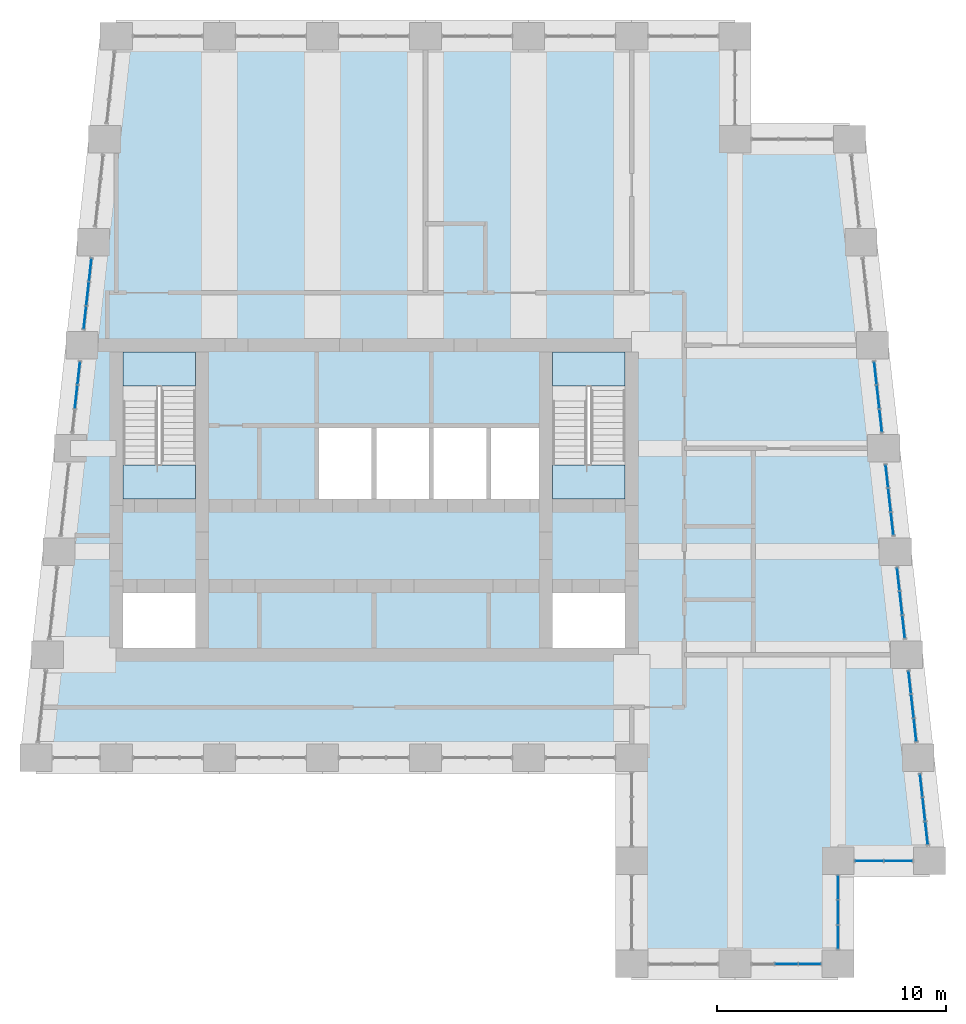
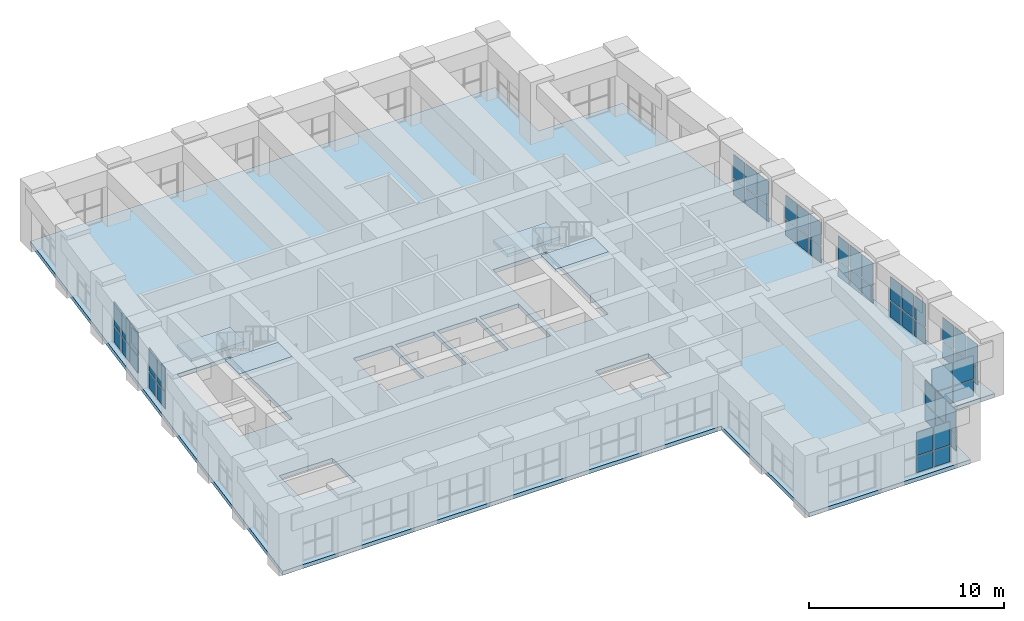
# One storey, part 13 of 18: 54 plates, 5 slabs, 12 elements without a shape of their own.
"""IFC4 building model written with IfcOpenShell, lengths in metres."""

from ifc_helpers import new_model, si_unit, direction, frame, origin, origin_2d, place, context, subcontext, project, spatial, polyline, rectangle, outline, extrude, material, layer, layer_set, type_object, element, aggregate, save


model = new_model("IFC4")

# Units and contexts
model_context = context("Model", 3, precision=1e-05, world=origin(), true_north=direction((0.0, 1.0)))
body_context = subcontext(model_context, "Body", "Model", "MODEL_VIEW")
ifc_project = project(units=[si_unit("LENGTHUNIT", "METRE"), si_unit("AREAUNIT", "SQUARE_METRE"), si_unit("VOLUMEUNIT", "CUBIC_METRE"), si_unit("PLANEANGLEUNIT", "RADIAN"), si_unit("MASSUNIT", "GRAM", prefix="KILO")], contexts=[model_context])

# Site, building, storey
site_placement = place(None, origin())
site = spatial("IfcSite", under=ifc_project, at=site_placement, CompositionType="ELEMENT")
building_placement = place(site_placement, origin())
building = spatial("IfcBuilding", under=site, at=building_placement, Name="Kilele Tower Hotel", CompositionType="ELEMENT")
storey_placement = place(building_placement, frame((0.0, 0.0, 281.89990234375)))
storey = spatial("IfcBuildingStorey", under=building, at=storey_placement, Name="L72", CompositionType="ELEMENT", Elevation=281.89990234375)

# Slab
ifc_material_1 = material(Name="Concrete C60/75", Category="concrete")
ifc_layer_1 = layer(ifc_material_1, 0.25)
ifc_layer_set_1 = layer_set([ifc_layer_1], Name="Concrete C60/75")
slab_type_1 = type_object("IfcSlabType", Name="Floor slab 250", PredefinedType="FLOOR", material=ifc_layer_set_1)
slab_1_placement = place(storey_placement, frame((0.0, 0.0, -0.25)))
element("IfcSlab", 1, at=slab_1_placement, inside=storey, type_object=slab_type_1, Name="Floor slab L72", PredefinedType="FLOOR", context=body_context, shape_type="SweptSolid", body=[
    extrude(outline(polyline([(40.800048828125, 40.800048828125), (40.800048828125, 36.300048828125), (45.7685546875, 36.300048828125), (49.335205078125, 4.199951171875), (45.300048828125, 4.199951171875), (45.300048828125, -0.300048828125), (35.699951171875, -0.300048828125), (35.699951171875, 8.699951171875), (9.664794921875, 8.699951171875), (13.2314453125, 40.800048828125), (40.800048828125, 40.800048828125)]), holes=[polyline([(16.949951171875, 16.199951171875), (13.800048828125, 16.199951171875), (13.800048828125, 13.800048828125), (16.949951171875, 13.800048828125), (16.949951171875, 16.199951171875)]), polyline([(35.699951171875, 16.199951171875), (32.550048828125, 16.199951171875), (32.550048828125, 13.800048828125), (35.699951171875, 13.800048828125), (35.699951171875, 16.199951171875)]), polyline([(24.64990234375, 23.39990234375), (22.35009765625, 23.39990234375), (22.35009765625, 20.10009765625), (24.64990234375, 20.10009765625), (24.64990234375, 23.39990234375)]), polyline([(27.14990234375, 23.39990234375), (24.85009765625, 23.39990234375), (24.85009765625, 20.10009765625), (27.14990234375, 20.10009765625), (27.14990234375, 23.39990234375)]), polyline([(29.64990234375, 23.39990234375), (27.35009765625, 23.39990234375), (27.35009765625, 20.10009765625), (29.64990234375, 20.10009765625), (29.64990234375, 23.39990234375)]), polyline([(32.14990234375, 23.39990234375), (29.85009765625, 23.39990234375), (29.85009765625, 20.10009765625), (32.14990234375, 20.10009765625), (32.14990234375, 23.39990234375)]), polyline([(16.949951171875, 26.699951171875), (13.800048828125, 26.699951171875), (13.800048828125, 20.300048828125), (16.949951171875, 20.300048828125), (16.949951171875, 26.699951171875)]), polyline([(35.699951171875, 26.699951171875), (32.550048828125, 26.699951171875), (32.550048828125, 20.300048828125), (35.699951171875, 20.300048828125), (35.699951171875, 26.699951171875)])]), origin(), (0.0, 0.0, 1.0), 0.25),
])

# Curtain wall, plates
ifc_material_2 = material(Name="Aluminium curtain wall, clear double glazing", Category="aluminium")
curtain_wall_type = type_object("IfcCurtainWallType", Name="Sky restaurant curtain wall CW-5", PredefinedType="NOTDEFINED", material=ifc_material_2)
curtain_wall_1_placement = place(storey_placement, origin())
curtain_wall_1 = element("IfcCurtainWall", 2, at=curtain_wall_1_placement, inside=storey, type_object=curtain_wall_type, Name="Sky restaurant curtain wall CW-5 L72", PredefinedType="NOTDEFINED")
ifc_material_3 = material(Name="Clear double glazing", Category="glass")
ifc_layer_2 = layer(ifc_material_3, 0.028076171875)
ifc_layer_set_2 = layer_set([ifc_layer_2], Name="Clear double glazing")
plate_type = type_object("IfcPlateType", Name="Glazed panel 28 CW-5", PredefinedType="CURTAIN_PANEL", material=ifc_layer_set_2)
plate_1_placement = place(storey_placement, frame((42.75, 0.0, 0.06005859375), z_axis=(0.0, 0.0, 1.0), x_axis=(1.0, 0.0, 0.0)))
plate_1 = element("IfcPlate", 3, at=plate_1_placement, type_object=plate_type, Name="CW-5 panel 2.1", PredefinedType="CURTAIN_PANEL", context=body_context, shape_type="SweptSolid", body=[
    extrude(rectangle(XDim=0.973388671875, YDim=0.028076171875, at=origin_2d()), origin(), (0.0, 0.0, 1.0), 1.010009765625),
])
plate_2_placement = place(storey_placement, frame((42.75, 0.0, 1.130126953125), z_axis=(0.0, 0.0, 1.0), x_axis=(1.0, 0.0, 0.0)))
plate_2 = element("IfcPlate", 4, at=plate_2_placement, type_object=plate_type, Name="CW-5 panel 2.2", PredefinedType="CURTAIN_PANEL", context=body_context, shape_type="SweptSolid", body=[
    extrude(rectangle(XDim=0.973388671875, YDim=0.028076171875, at=origin_2d()), origin(), (0.0, 0.0, 1.0), 1.4599609375),
])
plate_3_placement = place(storey_placement, frame((43.768310546875, 0.0, 0.06005859375), z_axis=(0.0, 0.0, 1.0), x_axis=(1.0, 0.0, 0.0)))
plate_3 = element("IfcPlate", 5, at=plate_3_placement, type_object=plate_type, Name="CW-5 panel 3.1", PredefinedType="CURTAIN_PANEL", context=body_context, shape_type="SweptSolid", body=[
    extrude(rectangle(XDim=0.943359375, YDim=0.028076171875, at=origin_2d()), origin(), (0.0, 0.0, 1.0), 1.010009765625),
])
plate_4_placement = place(storey_placement, frame((43.768310546875, 0.0, 1.130126953125), z_axis=(0.0, 0.0, 1.0), x_axis=(1.0, 0.0, 0.0)))
plate_4 = element("IfcPlate", 6, at=plate_4_placement, type_object=plate_type, Name="CW-5 panel 3.2", PredefinedType="CURTAIN_PANEL", context=body_context, shape_type="SweptSolid", body=[
    extrude(rectangle(XDim=0.943359375, YDim=0.028076171875, at=origin_2d()), origin(), (0.0, 0.0, 1.0), 1.4599609375),
])
aggregate(curtain_wall_1, [plate_1, plate_2, plate_3, plate_4])

curtain_wall_2_placement = place(storey_placement, origin())
curtain_wall_2 = element("IfcCurtainWall", 7, at=curtain_wall_2_placement, inside=storey, type_object=curtain_wall_type, Name="Sky restaurant curtain wall CW-5 L72", PredefinedType="NOTDEFINED")
plate_5_placement = place(storey_placement, frame((45.0, 1.1650390625, 0.06005859375), z_axis=(0.0, 0.0, 1.0), x_axis=(0.0, 1.0, 0.0)))
plate_5 = element("IfcPlate", 8, at=plate_5_placement, type_object=plate_type, Name="CW-5 panel 1.1", PredefinedType="CURTAIN_PANEL", context=body_context, shape_type="SweptSolid", body=[
    extrude(rectangle(XDim=1.010009765625, YDim=0.028076171875, at=origin_2d()), origin(), (0.0, 0.0, 1.0), 1.010009765625),
])
plate_6_placement = place(storey_placement, frame((45.0, 1.1650390625, 1.130126953125), z_axis=(0.0, 0.0, 1.0), x_axis=(0.0, 1.0, 0.0)))
plate_6 = element("IfcPlate", 9, at=plate_6_placement, type_object=plate_type, Name="CW-5 panel 1.2", PredefinedType="CURTAIN_PANEL", context=body_context, shape_type="SweptSolid", body=[
    extrude(rectangle(XDim=1.010009765625, YDim=0.028076171875, at=origin_2d()), origin(), (0.0, 0.0, 1.0), 1.4599609375),
])
plate_7_placement = place(storey_placement, frame((45.0, 2.25, 0.06005859375), z_axis=(0.0, 0.0, 1.0), x_axis=(0.0, 1.0, 0.0)))
plate_7 = element("IfcPlate", 10, at=plate_7_placement, type_object=plate_type, Name="CW-5 panel 2.1", PredefinedType="CURTAIN_PANEL", context=body_context, shape_type="SweptSolid", body=[
    extrude(rectangle(XDim=1.0400390625, YDim=0.028076171875, at=origin_2d()), origin(), (0.0, 0.0, 1.0), 1.010009765625),
])
plate_8_placement = place(storey_placement, frame((45.0, 2.25, 1.130126953125), z_axis=(0.0, 0.0, 1.0), x_axis=(0.0, 1.0, 0.0)))
plate_8 = element("IfcPlate", 11, at=plate_8_placement, type_object=plate_type, Name="CW-5 panel 2.2", PredefinedType="CURTAIN_PANEL", context=body_context, shape_type="SweptSolid", body=[
    extrude(rectangle(XDim=1.0400390625, YDim=0.028076171875, at=origin_2d()), origin(), (0.0, 0.0, 1.0), 1.4599609375),
])
plate_9_placement = place(storey_placement, frame((45.0, 3.3349609375, 0.06005859375), z_axis=(0.0, 0.0, 1.0), x_axis=(0.0, 1.0, 0.0)))
plate_9 = element("IfcPlate", 12, at=plate_9_placement, type_object=plate_type, Name="CW-5 panel 3.1", PredefinedType="CURTAIN_PANEL", context=body_context, shape_type="SweptSolid", body=[
    extrude(rectangle(XDim=1.010009765625, YDim=0.028076171875, at=origin_2d()), origin(), (0.0, 0.0, 1.0), 1.010009765625),
])
plate_10_placement = place(storey_placement, frame((45.0, 3.3349609375, 1.130126953125), z_axis=(0.0, 0.0, 1.0), x_axis=(0.0, 1.0, 0.0)))
plate_10 = element("IfcPlate", 13, at=plate_10_placement, type_object=plate_type, Name="CW-5 panel 3.2", PredefinedType="CURTAIN_PANEL", context=body_context, shape_type="SweptSolid", body=[
    extrude(rectangle(XDim=1.010009765625, YDim=0.028076171875, at=origin_2d()), origin(), (0.0, 0.0, 1.0), 1.4599609375),
])
aggregate(curtain_wall_2, [plate_5, plate_6, plate_7, plate_8, plate_9, plate_10])

curtain_wall_3_placement = place(storey_placement, origin())
curtain_wall_3 = element("IfcCurtainWall", 14, at=curtain_wall_3_placement, inside=storey, type_object=curtain_wall_type, Name="Sky restaurant curtain wall CW-5 L72", PredefinedType="NOTDEFINED")
plate_11_placement = place(storey_placement, frame((46.364990234375, 4.5, 0.06005859375), z_axis=(0.0, 0.0, 1.0), x_axis=(1.0, 0.0, 0.0)))
plate_11 = element("IfcPlate", 15, at=plate_11_placement, type_object=plate_type, Name="CW-5 panel 1.1", PredefinedType="CURTAIN_PANEL", context=body_context, shape_type="SweptSolid", body=[
    extrude(rectangle(XDim=1.2099609375, YDim=0.028076171875, at=origin_2d()), origin(), (0.0, 0.0, 1.0), 1.010009765625),
])
plate_12_placement = place(storey_placement, frame((46.364990234375, 4.5, 1.130126953125), z_axis=(0.0, 0.0, 1.0), x_axis=(1.0, 0.0, 0.0)))
plate_12 = element("IfcPlate", 16, at=plate_12_placement, type_object=plate_type, Name="CW-5 panel 1.2", PredefinedType="CURTAIN_PANEL", context=body_context, shape_type="SweptSolid", body=[
    extrude(rectangle(XDim=1.2099609375, YDim=0.028076171875, at=origin_2d()), origin(), (0.0, 0.0, 1.0), 1.4599609375),
])
plate_13_placement = place(storey_placement, frame((47.635009765625, 4.5, 0.06005859375), z_axis=(0.0, 0.0, 1.0), x_axis=(1.0, 0.0, 0.0)))
plate_13 = element("IfcPlate", 17, at=plate_13_placement, type_object=plate_type, Name="CW-5 panel 2.1", PredefinedType="CURTAIN_PANEL", context=body_context, shape_type="SweptSolid", body=[
    extrude(rectangle(XDim=1.2099609375, YDim=0.028076171875, at=origin_2d()), origin(), (0.0, 0.0, 1.0), 1.010009765625),
])
plate_14_placement = place(storey_placement, frame((47.635009765625, 4.5, 1.130126953125), z_axis=(0.0, 0.0, 1.0), x_axis=(1.0, 0.0, 0.0)))
plate_14 = element("IfcPlate", 18, at=plate_14_placement, type_object=plate_type, Name="CW-5 panel 2.2", PredefinedType="CURTAIN_PANEL", context=body_context, shape_type="SweptSolid", body=[
    extrude(rectangle(XDim=1.2099609375, YDim=0.028076171875, at=origin_2d()), origin(), (0.0, 0.0, 1.0), 1.4599609375),
])
aggregate(curtain_wall_3, [plate_11, plate_12, plate_13, plate_14])

curtain_wall_4_placement = place(storey_placement, origin())
curtain_wall_4 = element("IfcCurtainWall", 19, at=curtain_wall_4_placement, inside=storey, type_object=curtain_wall_type, Name="Sky restaurant curtain wall CW-5 L72", PredefinedType="NOTDEFINED")
plate_15_placement = place(storey_placement, frame((48.865478515625, 5.711181640625, 0.06005859375), z_axis=(0.0, 0.0, 1.0), x_axis=(-0.110431526007, 0.993883734681, 0.0)))
plate_15 = element("IfcPlate", 20, at=plate_15_placement, type_object=plate_type, Name="CW-5 panel 1.1", PredefinedType="CURTAIN_PANEL", context=body_context, shape_type="SweptSolid", body=[
    extrude(rectangle(XDim=0.97021484375, YDim=0.028076171875, at=origin_2d()), origin(), (0.0, 0.0, 1.0), 1.010009765625),
])
plate_16_placement = place(storey_placement, frame((48.865478515625, 5.711181640625, 1.130126953125), z_axis=(0.0, 0.0, 1.0), x_axis=(-0.110431526007, 0.993883734681, 0.0)))
plate_16 = element("IfcPlate", 21, at=plate_16_placement, type_object=plate_type, Name="CW-5 panel 1.2", PredefinedType="CURTAIN_PANEL", context=body_context, shape_type="SweptSolid", body=[
    extrude(rectangle(XDim=0.97021484375, YDim=0.028076171875, at=origin_2d()), origin(), (0.0, 0.0, 1.0), 1.4599609375),
])
plate_17_placement = place(storey_placement, frame((48.75, 6.75, 0.06005859375), z_axis=(0.0, 0.0, 1.0), x_axis=(-0.110431526007, 0.993883734681, 0.0)))
plate_17 = element("IfcPlate", 22, at=plate_17_placement, type_object=plate_type, Name="CW-5 panel 2.1", PredefinedType="CURTAIN_PANEL", context=body_context, shape_type="SweptSolid", body=[
    extrude(rectangle(XDim=1.000244140625, YDim=0.028076171875, at=origin_2d()), origin(), (0.0, 0.0, 1.0), 1.010009765625),
])
plate_18_placement = place(storey_placement, frame((48.75, 6.75, 1.130126953125), z_axis=(0.0, 0.0, 1.0), x_axis=(-0.110431526007, 0.993883734681, 0.0)))
plate_18 = element("IfcPlate", 23, at=plate_18_placement, type_object=plate_type, Name="CW-5 panel 2.2", PredefinedType="CURTAIN_PANEL", context=body_context, shape_type="SweptSolid", body=[
    extrude(rectangle(XDim=1.000244140625, YDim=0.028076171875, at=origin_2d()), origin(), (0.0, 0.0, 1.0), 1.4599609375),
])
plate_19_placement = place(storey_placement, frame((48.634521484375, 7.788818359375, 0.06005859375), z_axis=(0.0, 0.0, 1.0), x_axis=(-0.110431526007, 0.993883734681, 0.0)))
plate_19 = element("IfcPlate", 24, at=plate_19_placement, type_object=plate_type, Name="CW-5 panel 3.1", PredefinedType="CURTAIN_PANEL", context=body_context, shape_type="SweptSolid", body=[
    extrude(rectangle(XDim=0.97021484375, YDim=0.028076171875, at=origin_2d()), origin(), (0.0, 0.0, 1.0), 1.010009765625),
])
plate_20_placement = place(storey_placement, frame((48.634521484375, 7.788818359375, 1.130126953125), z_axis=(0.0, 0.0, 1.0), x_axis=(-0.110431526007, 0.993883734681, 0.0)))
plate_20 = element("IfcPlate", 25, at=plate_20_placement, type_object=plate_type, Name="CW-5 panel 3.2", PredefinedType="CURTAIN_PANEL", context=body_context, shape_type="SweptSolid", body=[
    extrude(rectangle(XDim=0.97021484375, YDim=0.028076171875, at=origin_2d()), origin(), (0.0, 0.0, 1.0), 1.4599609375),
])
aggregate(curtain_wall_4, [plate_15, plate_16, plate_17, plate_18, plate_19, plate_20])

curtain_wall_5_placement = place(storey_placement, origin())
curtain_wall_5 = element("IfcCurtainWall", 26, at=curtain_wall_5_placement, inside=storey, type_object=curtain_wall_type, Name="Sky restaurant curtain wall CW-5 L72", PredefinedType="NOTDEFINED")
plate_21_placement = place(storey_placement, frame((48.365478515625, 10.211181640625, 0.06005859375), z_axis=(0.0, 0.0, 1.0), x_axis=(-0.110431526007, 0.993883734681, 0.0)))
plate_21 = element("IfcPlate", 27, at=plate_21_placement, type_object=plate_type, Name="CW-5 panel 1.1", PredefinedType="CURTAIN_PANEL", context=body_context, shape_type="SweptSolid", body=[
    extrude(rectangle(XDim=0.97021484375, YDim=0.028076171875, at=origin_2d()), origin(), (0.0, 0.0, 1.0), 1.010009765625),
])
plate_22_placement = place(storey_placement, frame((48.365478515625, 10.211181640625, 1.130126953125), z_axis=(0.0, 0.0, 1.0), x_axis=(-0.110431526007, 0.993883734681, 0.0)))
plate_22 = element("IfcPlate", 28, at=plate_22_placement, type_object=plate_type, Name="CW-5 panel 1.2", PredefinedType="CURTAIN_PANEL", context=body_context, shape_type="SweptSolid", body=[
    extrude(rectangle(XDim=0.97021484375, YDim=0.028076171875, at=origin_2d()), origin(), (0.0, 0.0, 1.0), 1.4599609375),
])
plate_23_placement = place(storey_placement, frame((48.25, 11.25, 0.06005859375), z_axis=(0.0, 0.0, 1.0), x_axis=(-0.110431526007, 0.993883734681, 0.0)))
plate_23 = element("IfcPlate", 29, at=plate_23_placement, type_object=plate_type, Name="CW-5 panel 2.1", PredefinedType="CURTAIN_PANEL", context=body_context, shape_type="SweptSolid", body=[
    extrude(rectangle(XDim=1.000244140625, YDim=0.028076171875, at=origin_2d()), origin(), (0.0, 0.0, 1.0), 1.010009765625),
])
plate_24_placement = place(storey_placement, frame((48.25, 11.25, 1.130126953125), z_axis=(0.0, 0.0, 1.0), x_axis=(-0.110431526007, 0.993883734681, 0.0)))
plate_24 = element("IfcPlate", 30, at=plate_24_placement, type_object=plate_type, Name="CW-5 panel 2.2", PredefinedType="CURTAIN_PANEL", context=body_context, shape_type="SweptSolid", body=[
    extrude(rectangle(XDim=1.000244140625, YDim=0.028076171875, at=origin_2d()), origin(), (0.0, 0.0, 1.0), 1.4599609375),
])
plate_25_placement = place(storey_placement, frame((48.134521484375, 12.288818359375, 0.06005859375), z_axis=(0.0, 0.0, 1.0), x_axis=(-0.110431526007, 0.993883734681, 0.0)))
plate_25 = element("IfcPlate", 31, at=plate_25_placement, type_object=plate_type, Name="CW-5 panel 3.1", PredefinedType="CURTAIN_PANEL", context=body_context, shape_type="SweptSolid", body=[
    extrude(rectangle(XDim=0.97021484375, YDim=0.028076171875, at=origin_2d()), origin(), (0.0, 0.0, 1.0), 1.010009765625),
])
plate_26_placement = place(storey_placement, frame((48.134521484375, 12.288818359375, 1.130126953125), z_axis=(0.0, 0.0, 1.0), x_axis=(-0.110431526007, 0.993883734681, 0.0)))
plate_26 = element("IfcPlate", 32, at=plate_26_placement, type_object=plate_type, Name="CW-5 panel 3.2", PredefinedType="CURTAIN_PANEL", context=body_context, shape_type="SweptSolid", body=[
    extrude(rectangle(XDim=0.97021484375, YDim=0.028076171875, at=origin_2d()), origin(), (0.0, 0.0, 1.0), 1.4599609375),
])
aggregate(curtain_wall_5, [plate_21, plate_22, plate_23, plate_24, plate_25, plate_26])

curtain_wall_6_placement = place(storey_placement, origin())
curtain_wall_6 = element("IfcCurtainWall", 33, at=curtain_wall_6_placement, inside=storey, type_object=curtain_wall_type, Name="Sky restaurant curtain wall CW-5 L72", PredefinedType="NOTDEFINED")
plate_27_placement = place(storey_placement, frame((47.865478515625, 14.711181640625, 0.06005859375), z_axis=(0.0, 0.0, 1.0), x_axis=(-0.110431526007, 0.993883734681, 0.0)))
plate_27 = element("IfcPlate", 34, at=plate_27_placement, type_object=plate_type, Name="CW-5 panel 1.1", PredefinedType="CURTAIN_PANEL", context=body_context, shape_type="SweptSolid", body=[
    extrude(rectangle(XDim=0.97021484375, YDim=0.028076171875, at=origin_2d()), origin(), (0.0, 0.0, 1.0), 1.010009765625),
])
plate_28_placement = place(storey_placement, frame((47.865478515625, 14.711181640625, 1.130126953125), z_axis=(0.0, 0.0, 1.0), x_axis=(-0.110431526007, 0.993883734681, 0.0)))
plate_28 = element("IfcPlate", 35, at=plate_28_placement, type_object=plate_type, Name="CW-5 panel 1.2", PredefinedType="CURTAIN_PANEL", context=body_context, shape_type="SweptSolid", body=[
    extrude(rectangle(XDim=0.97021484375, YDim=0.028076171875, at=origin_2d()), origin(), (0.0, 0.0, 1.0), 1.4599609375),
])
plate_29_placement = place(storey_placement, frame((47.75, 15.75, 0.06005859375), z_axis=(0.0, 0.0, 1.0), x_axis=(-0.110431526007, 0.993883734681, 0.0)))
plate_29 = element("IfcPlate", 36, at=plate_29_placement, type_object=plate_type, Name="CW-5 panel 2.1", PredefinedType="CURTAIN_PANEL", context=body_context, shape_type="SweptSolid", body=[
    extrude(rectangle(XDim=1.000244140625, YDim=0.028076171875, at=origin_2d()), origin(), (0.0, 0.0, 1.0), 1.010009765625),
])
plate_30_placement = place(storey_placement, frame((47.75, 15.75, 1.130126953125), z_axis=(0.0, 0.0, 1.0), x_axis=(-0.110431526007, 0.993883734681, 0.0)))
plate_30 = element("IfcPlate", 37, at=plate_30_placement, type_object=plate_type, Name="CW-5 panel 2.2", PredefinedType="CURTAIN_PANEL", context=body_context, shape_type="SweptSolid", body=[
    extrude(rectangle(XDim=1.000244140625, YDim=0.028076171875, at=origin_2d()), origin(), (0.0, 0.0, 1.0), 1.4599609375),
])
plate_31_placement = place(storey_placement, frame((47.634521484375, 16.788818359375, 0.06005859375), z_axis=(0.0, 0.0, 1.0), x_axis=(-0.110431526007, 0.993883734681, 0.0)))
plate_31 = element("IfcPlate", 38, at=plate_31_placement, type_object=plate_type, Name="CW-5 panel 3.1", PredefinedType="CURTAIN_PANEL", context=body_context, shape_type="SweptSolid", body=[
    extrude(rectangle(XDim=0.97021484375, YDim=0.028076171875, at=origin_2d()), origin(), (0.0, 0.0, 1.0), 1.010009765625),
])
plate_32_placement = place(storey_placement, frame((47.634521484375, 16.788818359375, 1.130126953125), z_axis=(0.0, 0.0, 1.0), x_axis=(-0.110431526007, 0.993883734681, 0.0)))
plate_32 = element("IfcPlate", 39, at=plate_32_placement, type_object=plate_type, Name="CW-5 panel 3.2", PredefinedType="CURTAIN_PANEL", context=body_context, shape_type="SweptSolid", body=[
    extrude(rectangle(XDim=0.97021484375, YDim=0.028076171875, at=origin_2d()), origin(), (0.0, 0.0, 1.0), 1.4599609375),
])
aggregate(curtain_wall_6, [plate_27, plate_28, plate_29, plate_30, plate_31, plate_32])

curtain_wall_7_placement = place(storey_placement, origin())
curtain_wall_7 = element("IfcCurtainWall", 40, at=curtain_wall_7_placement, inside=storey, type_object=curtain_wall_type, Name="Sky restaurant curtain wall CW-5 L72", PredefinedType="NOTDEFINED")
plate_33_placement = place(storey_placement, frame((47.365478515625, 19.211181640625, 0.06005859375), z_axis=(0.0, 0.0, 1.0), x_axis=(-0.110431526007, 0.993883734681, 0.0)))
plate_33 = element("IfcPlate", 41, at=plate_33_placement, type_object=plate_type, Name="CW-5 panel 1.1", PredefinedType="CURTAIN_PANEL", context=body_context, shape_type="SweptSolid", body=[
    extrude(rectangle(XDim=0.97021484375, YDim=0.028076171875, at=origin_2d()), origin(), (0.0, 0.0, 1.0), 1.010009765625),
])
plate_34_placement = place(storey_placement, frame((47.365478515625, 19.211181640625, 1.130126953125), z_axis=(0.0, 0.0, 1.0), x_axis=(-0.110431526007, 0.993883734681, 0.0)))
plate_34 = element("IfcPlate", 42, at=plate_34_placement, type_object=plate_type, Name="CW-5 panel 1.2", PredefinedType="CURTAIN_PANEL", context=body_context, shape_type="SweptSolid", body=[
    extrude(rectangle(XDim=0.97021484375, YDim=0.028076171875, at=origin_2d()), origin(), (0.0, 0.0, 1.0), 1.4599609375),
])
plate_35_placement = place(storey_placement, frame((47.25, 20.25, 0.06005859375), z_axis=(0.0, 0.0, 1.0), x_axis=(-0.110431526007, 0.993883734681, 0.0)))
plate_35 = element("IfcPlate", 43, at=plate_35_placement, type_object=plate_type, Name="CW-5 panel 2.1", PredefinedType="CURTAIN_PANEL", context=body_context, shape_type="SweptSolid", body=[
    extrude(rectangle(XDim=1.000244140625, YDim=0.028076171875, at=origin_2d()), origin(), (0.0, 0.0, 1.0), 1.010009765625),
])
plate_36_placement = place(storey_placement, frame((47.25, 20.25, 1.130126953125), z_axis=(0.0, 0.0, 1.0), x_axis=(-0.110431526007, 0.993883734681, 0.0)))
plate_36 = element("IfcPlate", 44, at=plate_36_placement, type_object=plate_type, Name="CW-5 panel 2.2", PredefinedType="CURTAIN_PANEL", context=body_context, shape_type="SweptSolid", body=[
    extrude(rectangle(XDim=1.000244140625, YDim=0.028076171875, at=origin_2d()), origin(), (0.0, 0.0, 1.0), 1.4599609375),
])
plate_37_placement = place(storey_placement, frame((47.134521484375, 21.288818359375, 0.06005859375), z_axis=(0.0, 0.0, 1.0), x_axis=(-0.110431526007, 0.993883734681, 0.0)))
plate_37 = element("IfcPlate", 45, at=plate_37_placement, type_object=plate_type, Name="CW-5 panel 3.1", PredefinedType="CURTAIN_PANEL", context=body_context, shape_type="SweptSolid", body=[
    extrude(rectangle(XDim=0.97021484375, YDim=0.028076171875, at=origin_2d()), origin(), (0.0, 0.0, 1.0), 1.010009765625),
])
plate_38_placement = place(storey_placement, frame((47.134521484375, 21.288818359375, 1.130126953125), z_axis=(0.0, 0.0, 1.0), x_axis=(-0.110431526007, 0.993883734681, 0.0)))
plate_38 = element("IfcPlate", 46, at=plate_38_placement, type_object=plate_type, Name="CW-5 panel 3.2", PredefinedType="CURTAIN_PANEL", context=body_context, shape_type="SweptSolid", body=[
    extrude(rectangle(XDim=0.97021484375, YDim=0.028076171875, at=origin_2d()), origin(), (0.0, 0.0, 1.0), 1.4599609375),
])
aggregate(curtain_wall_7, [plate_33, plate_34, plate_35, plate_36, plate_37, plate_38])

curtain_wall_8_placement = place(storey_placement, origin())
curtain_wall_8 = element("IfcCurtainWall", 47, at=curtain_wall_8_placement, inside=storey, type_object=curtain_wall_type, Name="Sky restaurant curtain wall CW-5 L72", PredefinedType="NOTDEFINED")
plate_39_placement = place(storey_placement, frame((46.865478515625, 23.711181640625, 0.06005859375), z_axis=(0.0, 0.0, 1.0), x_axis=(-0.110431526007, 0.993883734681, 0.0)))
plate_39 = element("IfcPlate", 48, at=plate_39_placement, type_object=plate_type, Name="CW-5 panel 1.1", PredefinedType="CURTAIN_PANEL", context=body_context, shape_type="SweptSolid", body=[
    extrude(rectangle(XDim=0.97021484375, YDim=0.028076171875, at=origin_2d()), origin(), (0.0, 0.0, 1.0), 1.010009765625),
])
plate_40_placement = place(storey_placement, frame((46.865478515625, 23.711181640625, 1.130126953125), z_axis=(0.0, 0.0, 1.0), x_axis=(-0.110431526007, 0.993883734681, 0.0)))
plate_40 = element("IfcPlate", 49, at=plate_40_placement, type_object=plate_type, Name="CW-5 panel 1.2", PredefinedType="CURTAIN_PANEL", context=body_context, shape_type="SweptSolid", body=[
    extrude(rectangle(XDim=0.97021484375, YDim=0.028076171875, at=origin_2d()), origin(), (0.0, 0.0, 1.0), 1.4599609375),
])
plate_41_placement = place(storey_placement, frame((46.75, 24.75, 0.06005859375), z_axis=(0.0, 0.0, 1.0), x_axis=(-0.110431526007, 0.993883734681, 0.0)))
plate_41 = element("IfcPlate", 50, at=plate_41_placement, type_object=plate_type, Name="CW-5 panel 2.1", PredefinedType="CURTAIN_PANEL", context=body_context, shape_type="SweptSolid", body=[
    extrude(rectangle(XDim=1.000244140625, YDim=0.028076171875, at=origin_2d()), origin(), (0.0, 0.0, 1.0), 1.010009765625),
])
plate_42_placement = place(storey_placement, frame((46.75, 24.75, 1.130126953125), z_axis=(0.0, 0.0, 1.0), x_axis=(-0.110431526007, 0.993883734681, 0.0)))
plate_42 = element("IfcPlate", 51, at=plate_42_placement, type_object=plate_type, Name="CW-5 panel 2.2", PredefinedType="CURTAIN_PANEL", context=body_context, shape_type="SweptSolid", body=[
    extrude(rectangle(XDim=1.000244140625, YDim=0.028076171875, at=origin_2d()), origin(), (0.0, 0.0, 1.0), 1.4599609375),
])
plate_43_placement = place(storey_placement, frame((46.634521484375, 25.788818359375, 0.06005859375), z_axis=(0.0, 0.0, 1.0), x_axis=(-0.110431526007, 0.993883734681, 0.0)))
plate_43 = element("IfcPlate", 52, at=plate_43_placement, type_object=plate_type, Name="CW-5 panel 3.1", PredefinedType="CURTAIN_PANEL", context=body_context, shape_type="SweptSolid", body=[
    extrude(rectangle(XDim=0.97021484375, YDim=0.028076171875, at=origin_2d()), origin(), (0.0, 0.0, 1.0), 1.010009765625),
])
plate_44_placement = place(storey_placement, frame((46.634521484375, 25.788818359375, 1.130126953125), z_axis=(0.0, 0.0, 1.0), x_axis=(-0.110431526007, 0.993883734681, 0.0)))
plate_44 = element("IfcPlate", 53, at=plate_44_placement, type_object=plate_type, Name="CW-5 panel 3.2", PredefinedType="CURTAIN_PANEL", context=body_context, shape_type="SweptSolid", body=[
    extrude(rectangle(XDim=0.97021484375, YDim=0.028076171875, at=origin_2d()), origin(), (0.0, 0.0, 1.0), 1.4599609375),
])
aggregate(curtain_wall_8, [plate_39, plate_40, plate_41, plate_42, plate_43, plate_44])

curtain_wall_9_placement = place(storey_placement, origin())
curtain_wall_9 = element("IfcCurtainWall", 54, at=curtain_wall_9_placement, inside=storey, type_object=curtain_wall_type, Name="Sky restaurant curtain wall CW-5 L72", PredefinedType="NOTDEFINED")
plate_45_placement = place(storey_placement, frame((12.365478515625, 30.288818359375, 0.06005859375), z_axis=(0.0, 0.0, 1.0), x_axis=(-0.110431526007, -0.993883734681, 0.0)))
plate_45 = element("IfcPlate", 55, at=plate_45_placement, type_object=plate_type, Name="CW-5 panel 1.1", PredefinedType="CURTAIN_PANEL", context=body_context, shape_type="SweptSolid", body=[
    extrude(rectangle(XDim=0.97021484375, YDim=0.028076171875, at=origin_2d()), origin(), (0.0, 0.0, 1.0), 1.010009765625),
])
plate_46_placement = place(storey_placement, frame((12.365478515625, 30.288818359375, 1.130126953125), z_axis=(0.0, 0.0, 1.0), x_axis=(-0.110431526007, -0.993883734681, 0.0)))
plate_46 = element("IfcPlate", 56, at=plate_46_placement, type_object=plate_type, Name="CW-5 panel 1.2", PredefinedType="CURTAIN_PANEL", context=body_context, shape_type="SweptSolid", body=[
    extrude(rectangle(XDim=0.97021484375, YDim=0.028076171875, at=origin_2d()), origin(), (0.0, 0.0, 1.0), 1.4599609375),
])
plate_47_placement = place(storey_placement, frame((12.25, 29.25, 0.06005859375), z_axis=(0.0, 0.0, 1.0), x_axis=(-0.110431526007, -0.993883734681, 0.0)))
plate_47 = element("IfcPlate", 57, at=plate_47_placement, type_object=plate_type, Name="CW-5 panel 2.1", PredefinedType="CURTAIN_PANEL", context=body_context, shape_type="SweptSolid", body=[
    extrude(rectangle(XDim=1.000244140625, YDim=0.028076171875, at=origin_2d()), origin(), (0.0, 0.0, 1.0), 1.010009765625),
])
plate_48_placement = place(storey_placement, frame((12.25, 29.25, 1.130126953125), z_axis=(0.0, 0.0, 1.0), x_axis=(-0.110431526007, -0.993883734681, 0.0)))
plate_48 = element("IfcPlate", 58, at=plate_48_placement, type_object=plate_type, Name="CW-5 panel 2.2", PredefinedType="CURTAIN_PANEL", context=body_context, shape_type="SweptSolid", body=[
    extrude(rectangle(XDim=1.000244140625, YDim=0.028076171875, at=origin_2d()), origin(), (0.0, 0.0, 1.0), 1.4599609375),
])
plate_49_placement = place(storey_placement, frame((12.134521484375, 28.211181640625, 0.06005859375), z_axis=(0.0, 0.0, 1.0), x_axis=(-0.110431526007, -0.993883734681, 0.0)))
plate_49 = element("IfcPlate", 59, at=plate_49_placement, type_object=plate_type, Name="CW-5 panel 3.1", PredefinedType="CURTAIN_PANEL", context=body_context, shape_type="SweptSolid", body=[
    extrude(rectangle(XDim=0.97021484375, YDim=0.028076171875, at=origin_2d()), origin(), (0.0, 0.0, 1.0), 1.010009765625),
])
plate_50_placement = place(storey_placement, frame((12.134521484375, 28.211181640625, 1.130126953125), z_axis=(0.0, 0.0, 1.0), x_axis=(-0.110431526007, -0.993883734681, 0.0)))
plate_50 = element("IfcPlate", 60, at=plate_50_placement, type_object=plate_type, Name="CW-5 panel 3.2", PredefinedType="CURTAIN_PANEL", context=body_context, shape_type="SweptSolid", body=[
    extrude(rectangle(XDim=0.97021484375, YDim=0.028076171875, at=origin_2d()), origin(), (0.0, 0.0, 1.0), 1.4599609375),
])
aggregate(curtain_wall_9, [plate_45, plate_46, plate_47, plate_48, plate_49, plate_50])

curtain_wall_10_placement = place(storey_placement, origin())
curtain_wall_10 = element("IfcCurtainWall", 61, at=curtain_wall_10_placement, inside=storey, type_object=curtain_wall_type, Name="Sky restaurant curtain wall CW-5 L72", PredefinedType="NOTDEFINED")
plate_51_placement = place(storey_placement, frame((11.865478515625, 25.788818359375, 0.06005859375), z_axis=(0.0, 0.0, 1.0), x_axis=(-0.110431526007, -0.993883734681, 0.0)))
plate_51 = element("IfcPlate", 62, at=plate_51_placement, type_object=plate_type, Name="CW-5 panel 1.1", PredefinedType="CURTAIN_PANEL", context=body_context, shape_type="SweptSolid", body=[
    extrude(rectangle(XDim=0.97021484375, YDim=0.028076171875, at=origin_2d()), origin(), (0.0, 0.0, 1.0), 1.010009765625),
])
plate_52_placement = place(storey_placement, frame((11.865478515625, 25.788818359375, 1.130126953125), z_axis=(0.0, 0.0, 1.0), x_axis=(-0.110431526007, -0.993883734681, 0.0)))
plate_52 = element("IfcPlate", 63, at=plate_52_placement, type_object=plate_type, Name="CW-5 panel 1.2", PredefinedType="CURTAIN_PANEL", context=body_context, shape_type="SweptSolid", body=[
    extrude(rectangle(XDim=0.97021484375, YDim=0.028076171875, at=origin_2d()), origin(), (0.0, 0.0, 1.0), 1.4599609375),
])
plate_53_placement = place(storey_placement, frame((11.75, 24.75, 0.06005859375), z_axis=(0.0, 0.0, 1.0), x_axis=(-0.110431526007, -0.993883734681, 0.0)))
plate_53 = element("IfcPlate", 64, at=plate_53_placement, type_object=plate_type, Name="CW-5 panel 2.1", PredefinedType="CURTAIN_PANEL", context=body_context, shape_type="SweptSolid", body=[
    extrude(rectangle(XDim=1.000244140625, YDim=0.028076171875, at=origin_2d()), origin(), (0.0, 0.0, 1.0), 1.010009765625),
])
plate_54_placement = place(storey_placement, frame((11.75, 24.75, 1.130126953125), z_axis=(0.0, 0.0, 1.0), x_axis=(-0.110431526007, -0.993883734681, 0.0)))
plate_54 = element("IfcPlate", 65, at=plate_54_placement, type_object=plate_type, Name="CW-5 panel 2.2", PredefinedType="CURTAIN_PANEL", context=body_context, shape_type="SweptSolid", body=[
    extrude(rectangle(XDim=1.000244140625, YDim=0.028076171875, at=origin_2d()), origin(), (0.0, 0.0, 1.0), 1.4599609375),
])
aggregate(curtain_wall_10, [plate_51, plate_52, plate_53, plate_54])

# Stair, slabs
ifc_material_4 = material(Name="Precast concrete C40/50", Category="concrete")
stair_type = type_object("IfcStairType", Name="Stair 1475 x 3900", PredefinedType="HALF_TURN_STAIR", material=ifc_material_4)
stair_1_placement = place(storey_placement, origin())
stair_1 = element("IfcStair", 66, at=stair_1_placement, inside=storey, type_object=stair_type, Name="Stair 1 L72", PredefinedType="HALF_TURN_STAIR")
ifc_material_5 = material(Name="Precast concrete C40/50", Category="concrete")
ifc_layer_3 = layer(ifc_material_5, 0.199951171875)
ifc_layer_set_3 = layer_set([ifc_layer_3], Name="Precast concrete C40/50")
slab_type_2 = type_object("IfcSlabType", Name="Stair landing 200", PredefinedType="LANDING", material=ifc_layer_set_3)
slab_2_placement = place(storey_placement, frame((0.0, 0.0, 1.665283203125)))
slab_2 = element("IfcSlab", 67, at=slab_2_placement, type_object=slab_type_2, Name="ST1 landing 1", PredefinedType="LANDING", context=body_context, shape_type="SweptSolid", body=[
    extrude(outline(polyline([(13.800048828125, 25.22509765625), (16.949951171875, 25.22509765625), (16.949951171875, 26.699951171875), (13.800048828125, 26.699951171875), (13.800048828125, 25.22509765625)])), origin(), (0.0, 0.0, 1.0), 0.199951171875),
])
slab_3_placement = place(storey_placement, frame((0.0, 0.0, 3.7001953125)))
slab_3 = element("IfcSlab", 68, at=slab_3_placement, type_object=slab_type_2, Name="ST1 landing 2", PredefinedType="LANDING", context=body_context, shape_type="SweptSolid", body=[
    extrude(outline(polyline([(13.800048828125, 20.300048828125), (16.949951171875, 20.300048828125), (16.949951171875, 21.77490234375), (13.800048828125, 21.77490234375), (13.800048828125, 20.300048828125)])), origin(), (0.0, 0.0, 1.0), 0.199951171875),
])
aggregate(stair_1, [slab_2, slab_3])

stair_2_placement = place(storey_placement, origin())
stair_2 = element("IfcStair", 69, at=stair_2_placement, inside=storey, type_object=stair_type, Name="Stair 2 L72", PredefinedType="HALF_TURN_STAIR")
slab_4_placement = place(storey_placement, frame((0.0, 0.0, 1.665283203125)))
slab_4 = element("IfcSlab", 70, at=slab_4_placement, type_object=slab_type_2, Name="ST2 landing 1", PredefinedType="LANDING", context=body_context, shape_type="SweptSolid", body=[
    extrude(outline(polyline([(32.550048828125, 25.22509765625), (35.699951171875, 25.22509765625), (35.699951171875, 26.699951171875), (32.550048828125, 26.699951171875), (32.550048828125, 25.22509765625)])), origin(), (0.0, 0.0, 1.0), 0.199951171875),
])
slab_5_placement = place(storey_placement, frame((0.0, 0.0, 3.7001953125)))
slab_5 = element("IfcSlab", 71, at=slab_5_placement, type_object=slab_type_2, Name="ST2 landing 2", PredefinedType="LANDING", context=body_context, shape_type="SweptSolid", body=[
    extrude(outline(polyline([(32.550048828125, 20.300048828125), (35.699951171875, 20.300048828125), (35.699951171875, 21.77490234375), (32.550048828125, 21.77490234375), (32.550048828125, 20.300048828125)])), origin(), (0.0, 0.0, 1.0), 0.199951171875),
])
aggregate(stair_2, [slab_4, slab_5])

save(model, "model.ifc")
